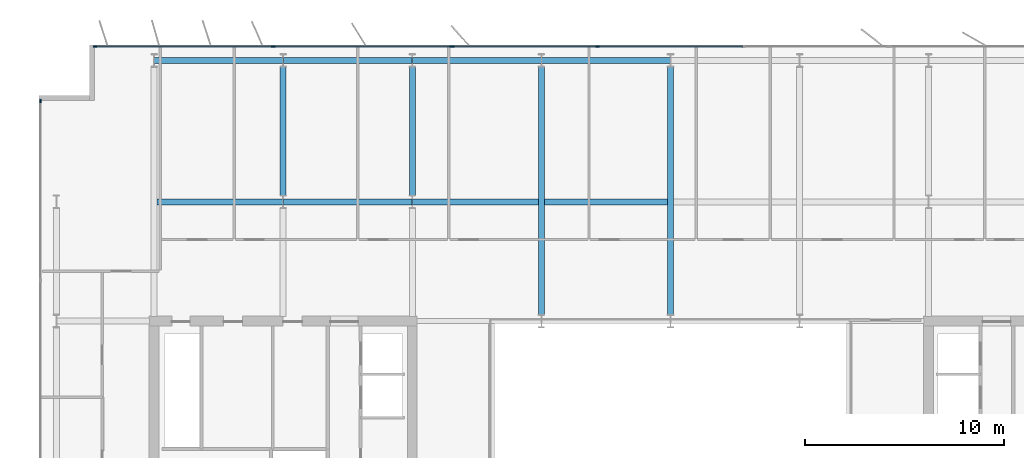
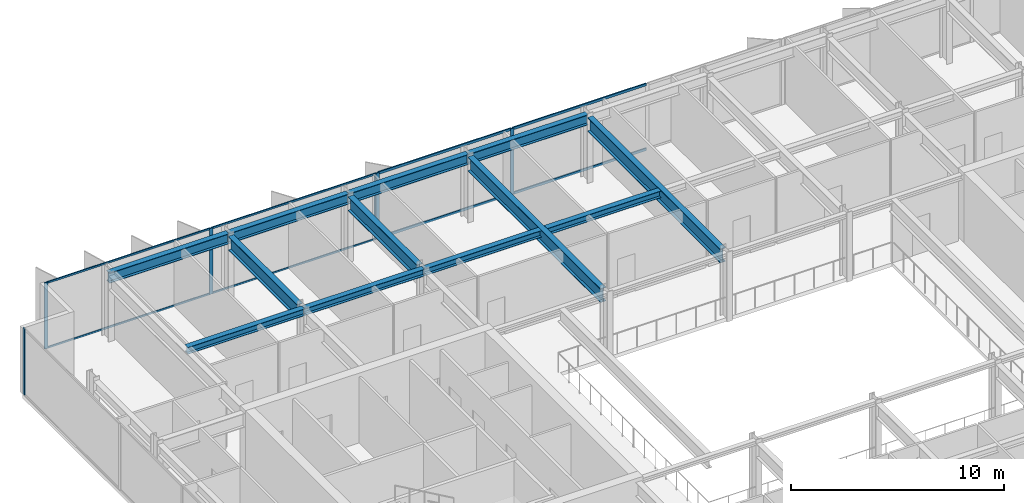
# One storey, part 8 of 20: 14 members, 12 beams, 3 elements without a shape of their own.
"""IFC4 building model written with IfcOpenShell, lengths in metres."""

from ifc_helpers import new_model, si_unit, direction, frame, origin, origin_2d, place, context, subcontext, project, spatial, rectangle, i_section, extrude, material, layer, layer_set, material_profile, profile_set, type_object, element, aggregate, save


model = new_model("IFC4")

# Units and contexts
model_context = context("Model", 3, precision=1e-05, world=origin(), true_north=direction((0.0, 1.0)))
body_context = subcontext(model_context, "Body", "Model", "MODEL_VIEW")
ifc_project = project(units=[si_unit("LENGTHUNIT", "METRE"), si_unit("AREAUNIT", "SQUARE_METRE"), si_unit("VOLUMEUNIT", "CUBIC_METRE"), si_unit("PLANEANGLEUNIT", "RADIAN"), si_unit("MASSUNIT", "GRAM", prefix="KILO")], contexts=[model_context])

# Site, building, storey
site_placement = place(None, origin())
site = spatial("IfcSite", under=ifc_project, at=site_placement, CompositionType="ELEMENT")
building_placement = place(site_placement, origin())
building = spatial("IfcBuilding", under=site, at=building_placement, Name="Putna Gate Headquarters", CompositionType="ELEMENT")
storey_placement = place(building_placement, frame((0.0, 0.0, 290.39990234375)))
storey = spatial("IfcBuildingStorey", under=building, at=storey_placement, Name="L73", CompositionType="ELEMENT", Elevation=290.39990234375)

# Beams
ifc_material_1 = material(Name="Steel S355J2", Category="steel")
ifc_material_profile_1 = material_profile(ifc_material_1, i_section(OverallWidth=0.300048828125, OverallDepth=0.800048828125, WebThickness=0.017578125, FlangeThickness=0.032958984375, at=origin_2d()), Name="Steel S355J2")
ifc_profile_set_1 = profile_set([ifc_material_profile_1], Name="Steel S355J2")
beam_type_1 = type_object("IfcBeamType", Name="BM-GIRD-P-HEB800", PredefinedType="USERDEFINED", material=ifc_profile_set_1)
for number, where, z_axis, x_axis, name in (
    (1, (19.5, 39.322021484375, 3.38818359375), (0.0, 1.0, 0.0), (-1.0, 0.0, 0.0), "L73 North Primary Girder X19-2"),
    (2, (26.0, 39.322021484375, 3.38818359375), (0.0, 1.0, 0.0), (-1.0, 0.0, 0.0), "L73 North Primary Girder X26-2"),
):
    element("IfcBeam", number, at=place(storey_placement, frame(where, z_axis=z_axis, x_axis=x_axis)), inside=storey, type_object=beam_type_1, Name=name, ObjectType="GIRDER", PredefinedType="USERDEFINED", context=body_context, shape_type="SweptSolid", body=[
        extrude(i_section(OverallWidth=0.300048828125, OverallDepth=0.800048828125, WebThickness=0.017578125, FlangeThickness=0.032958984375, at=origin_2d()), origin(), (0.0, 0.0, 1.0), 6.47607421875),
    ])
for number, where, z_axis, x_axis, name in (
    (3, (32.5, 33.322021484375, 3.38818359375), (0.0, 1.0, 0.0), (-1.0, 0.0, 0.0), "L73 North Primary Girder X32"),
    (4, (39.0, 33.322021484375, 3.38818359375), (0.0, 1.0, 0.0), (-1.0, 0.0, 0.0), "L73 North Primary Girder X39"),
):
    element("IfcBeam", number, at=place(storey_placement, frame(where, z_axis=z_axis, x_axis=x_axis)), inside=storey, type_object=beam_type_1, Name=name, ObjectType="GIRDER", PredefinedType="USERDEFINED", context=body_context, shape_type="SweptSolid", body=[
        extrude(i_section(OverallWidth=0.300048828125, OverallDepth=0.800048828125, WebThickness=0.017578125, FlangeThickness=0.032958984375, at=origin_2d()), origin(), (0.0, 0.0, 1.0), 12.47607421875),
    ])
ifc_material_profile_2 = material_profile(ifc_material_1, i_section(OverallWidth=0.300048828125, OverallDepth=0.389892578125, WebThickness=0.010986328125, FlangeThickness=0.01904296875, at=origin_2d()), Name="Steel S355J2")
ifc_profile_set_2 = profile_set([ifc_material_profile_2], Name="Steel S355J2")
beam_type_2 = type_object("IfcBeamType", Name="BM-SEC-Z5-HEA400", PredefinedType="BEAM", material=ifc_profile_set_2)
beam_1_placement = place(storey_placement, frame((13.154052734375, 39.0, 3.593017578125), z_axis=(1.0, 0.0, 0.0), x_axis=(0.0, 1.0, 0.0)))
element("IfcBeam", 5, at=beam_1_placement, inside=storey, type_object=beam_type_2, Name="L73 North Secondary Beam 1", PredefinedType="BEAM", context=body_context, shape_type="SweptSolid", body=[
    extrude(i_section(OverallWidth=0.300048828125, OverallDepth=0.389892578125, WebThickness=0.010986328125, FlangeThickness=0.01904296875, at=origin_2d()), origin(), (0.0, 0.0, 1.0), 6.33984375),
])
beam_2_placement = place(storey_placement, frame((19.506103515625, 39.0, 3.593017578125), z_axis=(1.0, 0.0, 0.0), x_axis=(0.0, 1.0, 0.0)))
element("IfcBeam", 6, at=beam_2_placement, inside=storey, type_object=beam_type_2, Name="L73 North Secondary Beam 2", PredefinedType="BEAM", context=body_context, shape_type="SweptSolid", body=[
    extrude(i_section(OverallWidth=0.300048828125, OverallDepth=0.389892578125, WebThickness=0.010986328125, FlangeThickness=0.01904296875, at=origin_2d()), origin(), (0.0, 0.0, 1.0), 6.48779296875),
])
beam_3_placement = place(storey_placement, frame((26.006103515625, 39.0, 3.593017578125), z_axis=(1.0, 0.0, 0.0), x_axis=(0.0, 1.0, 0.0)))
element("IfcBeam", 7, at=beam_3_placement, inside=storey, type_object=beam_type_2, Name="L73 North Secondary Beam 3", PredefinedType="BEAM", context=body_context, shape_type="SweptSolid", body=[
    extrude(i_section(OverallWidth=0.300048828125, OverallDepth=0.389892578125, WebThickness=0.010986328125, FlangeThickness=0.01904296875, at=origin_2d()), origin(), (0.0, 0.0, 1.0), 6.33984375),
])
beam_4_placement = place(storey_placement, frame((32.654052734375, 39.0, 3.593017578125), z_axis=(1.0, 0.0, 0.0), x_axis=(0.0, 1.0, 0.0)))
element("IfcBeam", 8, at=beam_4_placement, inside=storey, type_object=beam_type_2, Name="L73 North Secondary Beam 4", PredefinedType="BEAM", context=body_context, shape_type="SweptSolid", body=[
    extrude(i_section(OverallWidth=0.300048828125, OverallDepth=0.389892578125, WebThickness=0.010986328125, FlangeThickness=0.01904296875, at=origin_2d()), origin(), (0.0, 0.0, 1.0), 6.19189453125),
])
ifc_material_profile_3 = material_profile(ifc_material_1, i_section(OverallWidth=0.300048828125, OverallDepth=0.590087890625, WebThickness=0.012939453125, FlangeThickness=0.02490234375, at=origin_2d()), Name="Steel S355J2")
ifc_profile_set_3 = profile_set([ifc_material_profile_3], Name="Steel S355J2")
beam_type_3 = type_object("IfcBeamType", Name="BM-SPAN-Z4-HEA600", PredefinedType="SPANDREL", material=ifc_profile_set_3)
for number, where, z_axis, x_axis, name in (
    (9, (13.006103515625, 46.1201171875, 3.4931640625), (1.0, 0.0, 0.0), (0.0, 1.0, 0.0), "L73 N Perimeter Spandrel 1"),
    (10, (19.506103515625, 46.1201171875, 3.4931640625), (1.0, 0.0, 0.0), (0.0, 1.0, 0.0), "L73 N Perimeter Spandrel 2"),
    (11, (26.006103515625, 46.1201171875, 3.4931640625), (1.0, 0.0, 0.0), (0.0, 1.0, 0.0), "L73 N Perimeter Spandrel 3"),
    (12, (32.506103515625, 46.1201171875, 3.4931640625), (1.0, 0.0, 0.0), (0.0, 1.0, 0.0), "L73 N Perimeter Spandrel 4"),
):
    element("IfcBeam", number, at=place(storey_placement, frame(where, z_axis=z_axis, x_axis=x_axis)), inside=storey, type_object=beam_type_3, Name=name, PredefinedType="SPANDREL", context=body_context, shape_type="SweptSolid", body=[
        extrude(i_section(OverallWidth=0.300048828125, OverallDepth=0.590087890625, WebThickness=0.012939453125, FlangeThickness=0.02490234375, at=origin_2d()), origin(), (0.0, 0.0, 1.0), 6.48779296875),
    ])

# Curtain wall, members
ifc_material_2 = material(Name="Anodised bronze aluminium curtain wall", Category="aluminium")
ifc_layer_1 = layer(ifc_material_2, 0.179931640625)
ifc_layer_set_1 = layer_set([ifc_layer_1], Name="Anodised bronze aluminium curtain wall")
curtain_wall_type_1 = type_object("IfcCurtainWallType", Name="CW-SYS-Z5", PredefinedType="USERDEFINED", material=ifc_layer_set_1)
curtain_wall_1_placement = place(storey_placement, origin())
curtain_wall_1 = element("IfcCurtainWall", 13, at=curtain_wall_1_placement, inside=storey, type_object=curtain_wall_type_1, Name="L73 North West Curtain Wall", ObjectType="STICK CURTAIN WALL", PredefinedType="USERDEFINED")
ifc_material_3 = material(Name="Anodised bronze aluminium EN AW-6060", Category="aluminium")
ifc_material_profile_4 = material_profile(ifc_material_3, rectangle(XDim=0.070068359375, YDim=0.179931640625, at=origin_2d()), Name="Anodised bronze aluminium EN AW-6060")
ifc_profile_set_4 = profile_set([ifc_material_profile_4], Name="Anodised bronze aluminium EN AW-6060")
member_type_1 = type_object("IfcMemberType", Name="MULL-CWM-5", PredefinedType="MULLION", material=ifc_profile_set_4)
member_1_placement = place(storey_placement, frame((10.034912109375, 46.820068359375, 0.0), z_axis=(0.0, 0.0, 1.0), x_axis=(0.0, 1.0, 0.0)))
member_1 = element("IfcMember", 14, at=member_1_placement, type_object=member_type_1, Name="CWS-5 mullion 1", PredefinedType="MULLION", context=body_context, shape_type="SweptSolid", body=[
    extrude(rectangle(XDim=0.070068359375, YDim=0.179931640625, at=origin_2d()), origin(), (0.0, 0.0, 1.0), 3.7880859375),
])
member_2_placement = place(storey_placement, frame((19.0, 46.820068359375, 0.0), z_axis=(0.0, 0.0, 1.0), x_axis=(0.0, 1.0, 0.0)))
member_2 = element("IfcMember", 15, at=member_2_placement, type_object=member_type_1, Name="CWS-5 mullion 2", PredefinedType="MULLION", context=body_context, shape_type="SweptSolid", body=[
    extrude(rectangle(XDim=0.070068359375, YDim=0.179931640625, at=origin_2d()), origin(), (0.0, 0.0, 1.0), 3.7880859375),
])
member_3_placement = place(storey_placement, frame((27.965087890625, 46.820068359375, 0.0), z_axis=(0.0, 0.0, 1.0), x_axis=(0.0, 1.0, 0.0)))
member_3 = element("IfcMember", 16, at=member_3_placement, type_object=member_type_1, Name="CWS-5 mullion 3", PredefinedType="MULLION", context=body_context, shape_type="SweptSolid", body=[
    extrude(rectangle(XDim=0.070068359375, YDim=0.179931640625, at=origin_2d()), origin(), (0.0, 0.0, 1.0), 3.7880859375),
])

# Curtain wall, member
curtain_wall_2_placement = place(storey_placement, origin())
curtain_wall_2 = element("IfcCurtainWall", 17, at=curtain_wall_2_placement, inside=storey, type_object=curtain_wall_type_1, Name="L73 West Curtain Wall", ObjectType="STICK CURTAIN WALL", PredefinedType="USERDEFINED")
member_4_placement = place(storey_placement, frame((7.280029296875, 44.06494140625, 0.0), z_axis=(0.0, 0.0, 1.0), x_axis=(-1.0, 0.0, 0.0)))
member_4 = element("IfcMember", 18, at=member_4_placement, type_object=member_type_1, Name="CWS-5 mullion 5", PredefinedType="MULLION", context=body_context, shape_type="SweptSolid", body=[
    extrude(rectangle(XDim=0.070068359375, YDim=0.179931640625, at=origin_2d()), origin(), (0.0, 0.0, 1.0), 3.7880859375),
])
aggregate(curtain_wall_2, [member_4])

# Curtain wall, members
ifc_layer_2 = layer(ifc_material_2, 0.179931640625)
ifc_layer_set_2 = layer_set([ifc_layer_2], Name="Anodised bronze aluminium curtain wall")
curtain_wall_type_2 = type_object("IfcCurtainWallType", Name="CW-SYS-ATR", PredefinedType="USERDEFINED", material=ifc_layer_set_2)
curtain_wall_3_placement = place(storey_placement, origin())
curtain_wall_3 = element("IfcCurtainWall", 19, at=curtain_wall_3_placement, inside=storey, type_object=curtain_wall_type_2, Name="L73 North Atrium Clear Glazing", ObjectType="ATRIUM GLAZING", PredefinedType="USERDEFINED")
ifc_material_profile_5 = material_profile(ifc_material_3, rectangle(XDim=0.070068359375, YDim=0.179931640625, at=origin_2d()), Name="Anodised bronze aluminium EN AW-6060")
ifc_profile_set_5 = profile_set([ifc_material_profile_5], Name="Anodised bronze aluminium EN AW-6060")
member_type_2 = type_object("IfcMemberType", Name="MULL-CWM-AT", PredefinedType="MULLION", material=ifc_profile_set_5)
member_5_placement = place(storey_placement, frame((28.034912109375, 46.820068359375, 0.0), z_axis=(0.0, 0.0, 1.0), x_axis=(0.0, 1.0, 0.0)))
member_5 = element("IfcMember", 20, at=member_5_placement, type_object=member_type_2, Name="CWS-AT mullion 1", PredefinedType="MULLION", context=body_context, shape_type="SweptSolid", body=[
    extrude(rectangle(XDim=0.070068359375, YDim=0.179931640625, at=origin_2d()), origin(), (0.0, 0.0, 1.0), 3.7880859375),
])
member_6_placement = place(storey_placement, frame((35.333251953125, 46.820068359375, 0.0), z_axis=(0.0, 0.0, 1.0), x_axis=(0.0, 1.0, 0.0)))
member_6 = element("IfcMember", 21, at=member_6_placement, type_object=member_type_2, Name="CWS-AT mullion 2", PredefinedType="MULLION", context=body_context, shape_type="SweptSolid", body=[
    extrude(rectangle(XDim=0.070068359375, YDim=0.179931640625, at=origin_2d()), origin(), (0.0, 0.0, 1.0), 3.7880859375),
])

# Member
ifc_material_profile_6 = material_profile(ifc_material_3, rectangle(XDim=0.06005859375, YDim=0.10009765625, at=origin_2d()), Name="Anodised bronze aluminium EN AW-6060")
ifc_profile_set_6 = profile_set([ifc_material_profile_6], Name="Anodised bronze aluminium EN AW-6060")
member_type_3 = type_object("IfcMemberType", Name="TRAN-CWT-5", PredefinedType="USERDEFINED", material=ifc_profile_set_6)
member_7_placement = place(storey_placement, frame((10.070068359375, 46.820068359375, 0.030029296875), z_axis=(1.0, 0.0, 0.0), x_axis=(0.0, 1.0, 0.0)))
member_7 = element("IfcMember", 22, at=member_7_placement, type_object=member_type_3, Name="CWS-5 transom 1.1", ObjectType="TRANSOM", PredefinedType="USERDEFINED", context=body_context, shape_type="SweptSolid", body=[
    extrude(rectangle(XDim=0.06005859375, YDim=0.10009765625, at=origin_2d()), origin(), (0.0, 0.0, 1.0), 8.89501953125),
])

member_8_placement = place(storey_placement, frame((10.070068359375, 46.820068359375, 3.758056640625), z_axis=(1.0, 0.0, 0.0), x_axis=(0.0, 1.0, 0.0)))
member_8 = element("IfcMember", 23, at=member_8_placement, type_object=member_type_3, Name="CWS-5 transom 1.2", ObjectType="TRANSOM", PredefinedType="USERDEFINED", context=body_context, shape_type="SweptSolid", body=[
    extrude(rectangle(XDim=0.06005859375, YDim=0.10009765625, at=origin_2d()), origin(), (0.0, 0.0, 1.0), 8.89501953125),
])

member_9_placement = place(storey_placement, frame((19.034912109375, 46.820068359375, 0.030029296875), z_axis=(1.0, 0.0, 0.0), x_axis=(0.0, 1.0, 0.0)))
member_9 = element("IfcMember", 24, at=member_9_placement, type_object=member_type_3, Name="CWS-5 transom 2.1", ObjectType="TRANSOM", PredefinedType="USERDEFINED", context=body_context, shape_type="SweptSolid", body=[
    extrude(rectangle(XDim=0.06005859375, YDim=0.10009765625, at=origin_2d()), origin(), (0.0, 0.0, 1.0), 8.89501953125),
])

member_10_placement = place(storey_placement, frame((19.034912109375, 46.820068359375, 3.758056640625), z_axis=(1.0, 0.0, 0.0), x_axis=(0.0, 1.0, 0.0)))
member_10 = element("IfcMember", 25, at=member_10_placement, type_object=member_type_3, Name="CWS-5 transom 2.2", ObjectType="TRANSOM", PredefinedType="USERDEFINED", context=body_context, shape_type="SweptSolid", body=[
    extrude(rectangle(XDim=0.06005859375, YDim=0.10009765625, at=origin_2d()), origin(), (0.0, 0.0, 1.0), 8.89501953125),
])

aggregate(curtain_wall_1, [member_1, member_2, member_3, member_7, member_8, member_9, member_10])

ifc_material_profile_7 = material_profile(ifc_material_3, rectangle(XDim=0.070068359375, YDim=0.139892578125, at=origin_2d()), Name="Anodised bronze aluminium EN AW-6060")
ifc_profile_set_7 = profile_set([ifc_material_profile_7], Name="Anodised bronze aluminium EN AW-6060")
member_type_4 = type_object("IfcMemberType", Name="TRAN-CWT-AT", PredefinedType="USERDEFINED", material=ifc_profile_set_7)
member_11_placement = place(storey_placement, frame((28.070068359375, 46.820068359375, 0.03515625), z_axis=(1.0, 0.0, 0.0), x_axis=(0.0, 1.0, 0.0)))
member_11 = element("IfcMember", 26, at=member_11_placement, type_object=member_type_4, Name="CWS-AT transom 1.1", ObjectType="TRANSOM", PredefinedType="USERDEFINED", context=body_context, shape_type="SweptSolid", body=[
    extrude(rectangle(XDim=0.070068359375, YDim=0.139892578125, at=origin_2d()), origin(), (0.0, 0.0, 1.0), 7.228271484375),
])

member_12_placement = place(storey_placement, frame((28.070068359375, 46.820068359375, 3.753173828125), z_axis=(1.0, 0.0, 0.0), x_axis=(0.0, 1.0, 0.0)))
member_12 = element("IfcMember", 27, at=member_12_placement, type_object=member_type_4, Name="CWS-AT transom 1.2", ObjectType="TRANSOM", PredefinedType="USERDEFINED", context=body_context, shape_type="SweptSolid", body=[
    extrude(rectangle(XDim=0.070068359375, YDim=0.139892578125, at=origin_2d()), origin(), (0.0, 0.0, 1.0), 7.228271484375),
])

member_13_placement = place(storey_placement, frame((35.368408203125, 46.820068359375, 0.03515625), z_axis=(1.0, 0.0, 0.0), x_axis=(0.0, 1.0, 0.0)))
member_13 = element("IfcMember", 28, at=member_13_placement, type_object=member_type_4, Name="CWS-AT transom 2.1", ObjectType="TRANSOM", PredefinedType="USERDEFINED", context=body_context, shape_type="SweptSolid", body=[
    extrude(rectangle(XDim=0.070068359375, YDim=0.139892578125, at=origin_2d()), origin(), (0.0, 0.0, 1.0), 7.26318359375),
])

member_14_placement = place(storey_placement, frame((35.368408203125, 46.820068359375, 3.753173828125), z_axis=(1.0, 0.0, 0.0), x_axis=(0.0, 1.0, 0.0)))
member_14 = element("IfcMember", 29, at=member_14_placement, type_object=member_type_4, Name="CWS-AT transom 2.2", ObjectType="TRANSOM", PredefinedType="USERDEFINED", context=body_context, shape_type="SweptSolid", body=[
    extrude(rectangle(XDim=0.070068359375, YDim=0.139892578125, at=origin_2d()), origin(), (0.0, 0.0, 1.0), 7.26318359375),
])

aggregate(curtain_wall_3, [member_5, member_6, member_11, member_12, member_13, member_14])

save(model, "model.ifc")
